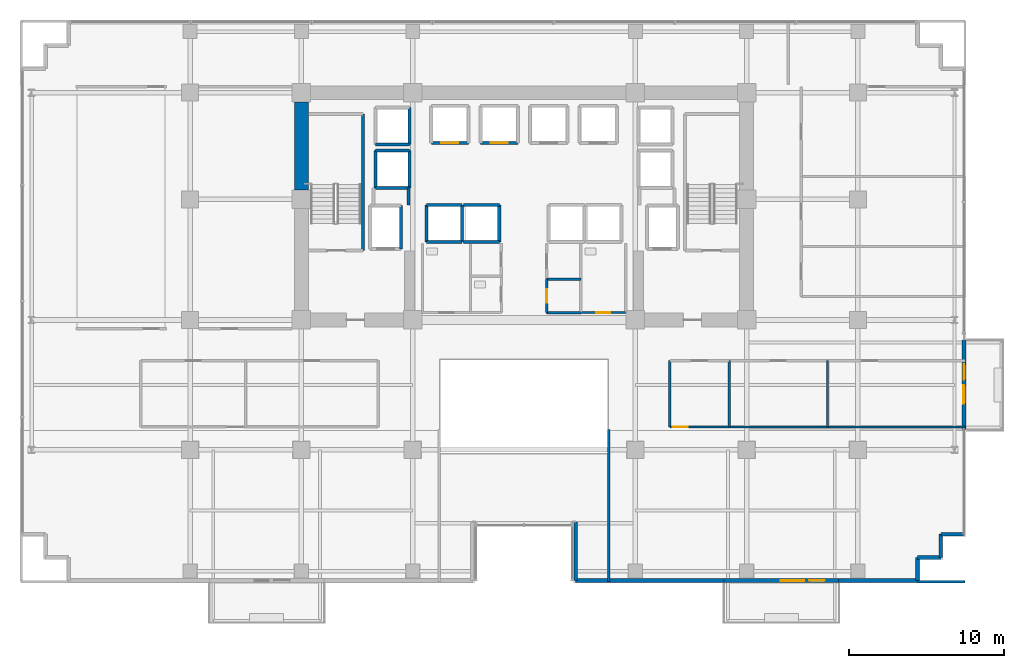
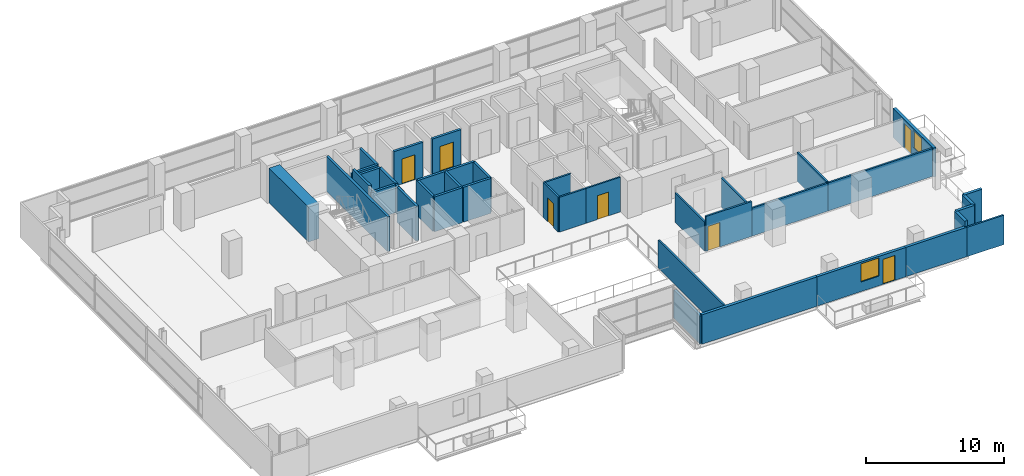
# One storey, part 23 of 30: 40 walls, 7 doors, 2 windows, 9 openings.
"""IFC4 building model written with IfcOpenShell, lengths in metres."""

from ifc_helpers import new_model, si_unit, direction, frame, frame_2d, origin, place, context, subcontext, project, spatial, rectangle, extrude, source, transform, mapped, material, layer, layer_set, type_object, element, fill, save


model = new_model("IFC4")

# Units and contexts
model_context = context("Model", 3, precision=1e-05, world=origin(), true_north=direction((0.0, 1.0)))
body_context = subcontext(model_context, "Body", "Model", "MODEL_VIEW")
ifc_project = project(units=[si_unit("LENGTHUNIT", "METRE"), si_unit("AREAUNIT", "SQUARE_METRE"), si_unit("VOLUMEUNIT", "CUBIC_METRE"), si_unit("PLANEANGLEUNIT", "RADIAN"), si_unit("MASSUNIT", "GRAM", prefix="KILO")], contexts=[model_context])

# Site, building, storey
site_placement = place(None, origin())
site = spatial("IfcSite", under=ifc_project, at=site_placement, CompositionType="ELEMENT")
building_placement = place(site_placement, origin())
building = spatial("IfcBuilding", under=site, at=building_placement, Name="Zarnakvel Exchange Tower", CompositionType="ELEMENT")
storey_placement = place(building_placement, frame((0.0, 0.0, 50.5)))
storey = spatial("IfcBuildingStorey", under=building, at=storey_placement, Name="L13", CompositionType="ELEMENT", Elevation=50.5)

# Wall
ifc_material_1 = material(Name="Concrete C80/95", Category="concrete")
ifc_layer_1 = layer(ifc_material_1, 0.89990234375)
ifc_layer_set_1 = layer_set([ifc_layer_1], Name="Concrete C80/95")
wall_type_1 = type_object("IfcWallType", Name="CW-C1", PredefinedType="SHEAR", material=ifc_layer_set_1)
wall_1_placement = place(storey_placement, frame((-14.39990234375, 7.199951171875, 0.0), z_axis=(0.0, 0.0, 1.0), x_axis=(0.0, 1.0, 0.0)))
element("IfcWall", 1, at=wall_1_placement, inside=storey, type_object=wall_type_1, Name="L13 Rear Core Shear Wall W2 (CW-C1)", PredefinedType="SHEAR", context=body_context, shape_type="SweptSolid", body=[
    extrude(rectangle(XDim=5.699951171875, YDim=0.89990234375, at=frame_2d((2.85009765625, 0.0))), origin(), (0.0, 0.0, 1.0), 3.074951171875),
])

# Wall, openings, door, window
ifc_material_2 = material(Name="Precast concrete C40/50", Category="concrete")
ifc_layer_2 = layer(ifc_material_2, 0.239990234375)
ifc_layer_set_2 = layer_set([ifc_layer_2], Name="Precast concrete C40/50")
wall_type_2 = type_object("IfcWallType", Name="EW-02", PredefinedType="SOLIDWALL", material=ifc_layer_set_2)
wall_2_placement = place(storey_placement, frame((20.35009765625, -18.06005859375, 0.0), z_axis=(0.0, 0.0, 1.0), x_axis=(-1.0, 0.0, 0.0)))
wall_2 = element("IfcWall", 2, at=wall_2_placement, inside=storey, type_object=wall_type_2, Name="L13 Exterior Precast Spandrel Wall EW-BAL-L13-SE (EW-02)", PredefinedType="SOLIDWALL", context=body_context, shape_type="SweptSolid", body=[
    extrude(rectangle(XDim=7.400146484375, YDim=0.239990234375, at=frame_2d((3.7001953125, 0.0))), origin(), (0.0, 0.0, 1.0), 2.590087890625),
])
opening_1_placement = place(wall_2_placement, frame((0.887939453125, 0.0, 0.0)))
opening_1 = element("IfcOpeningElement", 3, at=opening_1_placement, cuts=wall_2, Name="Opening BD-L13-02", PredefinedType="OPENING", context=body_context, shape_type="SweptSolid", body=[
    extrude(rectangle(XDim=1.0, YDim=2.199951171875, at=frame_2d((0.5, 1.10009765625))), frame((0.0, 0.1298828125, 0.0), z_axis=(0.0, -1.0, 0.0), x_axis=(1.0, 0.0, 0.0)), (0.0, 0.0, 1.0), 0.260009765625),
])
opening_2_placement = place(wall_2_placement, frame((2.238037109375, 0.0, 0.85009765625)))
opening_2 = element("IfcOpeningElement", 4, at=opening_2_placement, cuts=wall_2, Name="Opening WN-03", PredefinedType="OPENING", context=body_context, shape_type="SweptSolid", body=[
    extrude(rectangle(XDim=1.5, YDim=1.60009765625, at=frame_2d((0.75, 0.800048828125))), frame((0.0, 0.1298828125, 0.0), z_axis=(0.0, -1.0, 0.0), x_axis=(1.0, 0.0, 0.0)), (0.0, 0.0, 1.0), 0.260009765625),
])
ifc_material_3 = material(Name="Architectural Bronze Anodised Aluminium", Category="aluminium")
door_type_1 = type_object("IfcDoorType", Name="DT-09", OperationType="NOTDEFINED", PredefinedType="DOOR", material=ifc_material_3)
shared_shape_1 = source(origin(), body_context, "Body", "SweptSolid", [
    extrude(rectangle(XDim=1.0, YDim=2.199951171875, at=frame_2d((0.5, 1.10009765625))), frame((0.0, 0.02490234375, 0.0), z_axis=(0.0, -1.0, 0.0), x_axis=(1.0, 0.0, 0.0)), (0.0, 0.0, 1.0), 0.050048828125),
])
door_1_placement = place(opening_1_placement, origin())
door_1 = element("IfcDoor", 5, at=door_1_placement, inside=storey, type_object=door_type_1, Name="L13 Planted Loggia Balcony Door BD-L13-02", OperationType="SINGLE_SWING_RIGHT", OverallHeight=2.199951171875, OverallWidth=1.0, PredefinedType="DOOR", context=body_context, shape_type="MappedRepresentation", body=[
    mapped(shared_shape_1, transform((0.0, 0.0, 0.0), x_axis=(1.0, 0.0, 0.0), y_axis=(0.0, 1.0, 0.0), z_axis=(0.0, 0.0, 1.0), scale=1.0)),
])
fill(opening_1, door_1)
ifc_material_4 = material(Name="Double Low-E Laminated Vision Glass", Category="glass")
window_type_1 = type_object("IfcWindowType", Name="WN-03", PartitioningType="SINGLE_PANEL", PredefinedType="WINDOW", material=ifc_material_4)
shared_shape_2 = source(origin(), body_context, "Body", "SweptSolid", [
    extrude(rectangle(XDim=1.5, YDim=1.60009765625, at=frame_2d((0.75, 0.800048828125))), frame((0.0, 0.030029296875, 0.0), z_axis=(0.0, -1.0, 0.0), x_axis=(1.0, 0.0, 0.0)), (0.0, 0.0, 1.0), 0.06005859375),
])
window_1_placement = place(opening_2_placement, origin())
window_1 = element("IfcWindow", 6, at=window_1_placement, inside=storey, type_object=window_type_1, Name="L13 Loggia Daylight Window (WN-03)", OverallHeight=1.60009765625, OverallWidth=1.5, PartitioningType="SINGLE_PANEL", PredefinedType="WINDOW", context=body_context, shape_type="MappedRepresentation", body=[
    mapped(shared_shape_2, transform((0.0, 0.0, 0.0), x_axis=(1.0, 0.0, 0.0), y_axis=(0.0, 1.0, 0.0), z_axis=(0.0, 0.0, 1.0), scale=1.0)),
])
fill(opening_2, window_1)

wall_3_placement = place(storey_placement, frame((28.4599609375, -2.5, 0.0), z_axis=(0.0, 0.0, 1.0), x_axis=(0.0, -1.0, 0.0)))
wall_3 = element("IfcWall", 7, at=wall_3_placement, inside=storey, type_object=wall_type_2, Name="L13 Exterior Precast Spandrel Wall EW-BAL-L13-E (EW-02)", PredefinedType="SOLIDWALL", context=body_context, shape_type="SweptSolid", body=[
    extrude(rectangle(XDim=5.800048828125, YDim=0.239990234375, at=frame_2d((2.89990234375, 0.0))), origin(), (0.0, 0.0, 1.0), 2.56494140625),
])
opening_3_placement = place(wall_3_placement, frame((1.56591796875, 0.0, 0.0)))
opening_3 = element("IfcOpeningElement", 8, at=opening_3_placement, cuts=wall_3, Name="Opening BD-L13-03", PredefinedType="OPENING", context=body_context, shape_type="SweptSolid", body=[
    extrude(rectangle(XDim=1.0, YDim=2.199951171875, at=frame_2d((0.5, 1.10009765625))), frame((0.0, 0.1298828125, 0.0), z_axis=(0.0, -1.0, 0.0), x_axis=(1.0, 0.0, 0.0)), (0.0, 0.0, 1.0), 0.260009765625),
])
opening_4_placement = place(wall_3_placement, frame((2.916015625, 0.0, 0.85009765625)))
opening_4 = element("IfcOpeningElement", 9, at=opening_4_placement, cuts=wall_3, Name="Opening WN-04", PredefinedType="OPENING", context=body_context, shape_type="SweptSolid", body=[
    extrude(rectangle(XDim=1.199951171875, YDim=1.5, at=frame_2d((0.60009765625, 0.75))), frame((0.0, 0.1298828125, 0.0), z_axis=(0.0, -1.0, 0.0), x_axis=(1.0, 0.0, 0.0)), (0.0, 0.0, 1.0), 0.260009765625),
])
door_2_placement = place(opening_3_placement, origin())
door_2 = element("IfcDoor", 10, at=door_2_placement, inside=storey, type_object=door_type_1, Name="L13 Planted Loggia Balcony Door BD-L13-03", OperationType="SINGLE_SWING_LEFT", OverallHeight=2.199951171875, OverallWidth=1.0, PredefinedType="DOOR", context=body_context, shape_type="MappedRepresentation", body=[
    mapped(shared_shape_1, transform((0.0, 0.0, 0.0), x_axis=(1.0, 0.0, 0.0), y_axis=(0.0, 1.0, 0.0), z_axis=(0.0, 0.0, 1.0), scale=1.0)),
])
fill(opening_3, door_2)
window_type_2 = type_object("IfcWindowType", Name="WN-04", PartitioningType="SINGLE_PANEL", PredefinedType="WINDOW", material=ifc_material_4)
shared_shape_3 = source(origin(), body_context, "Body", "SweptSolid", [
    extrude(rectangle(XDim=1.199951171875, YDim=1.5, at=frame_2d((0.60009765625, 0.75))), frame((0.0, 0.030029296875, 0.0), z_axis=(0.0, -1.0, 0.0), x_axis=(1.0, 0.0, 0.0)), (0.0, 0.0, 1.0), 0.06005859375),
])
window_2_placement = place(opening_4_placement, origin())
window_2 = element("IfcWindow", 11, at=window_2_placement, inside=storey, type_object=window_type_2, Name="L13 Loggia Daylight Window (WN-04)", OverallHeight=1.5, OverallWidth=1.199951171875, PartitioningType="SINGLE_PANEL", PredefinedType="WINDOW", context=body_context, shape_type="MappedRepresentation", body=[
    mapped(shared_shape_3, transform((0.0, 0.0, 0.0), x_axis=(1.0, 0.0, 0.0), y_axis=(0.0, 1.0, 0.0), z_axis=(0.0, 0.0, 1.0), scale=1.0)),
])
fill(opening_4, window_2)

# Walls
for number, where, z_axis, x_axis, name in (
    (12, (26.9599609375, -15.06005859375, 0.0), (0.0, 0.0, 1.0), (1.0, 0.0, 0.0), "L13 Exterior Precast Spandrel Wall EWC-L13-11 (EW-02)"),
    (13, (26.9599609375, -16.56005859375, 0.0), (0.0, 0.0, 1.0), (0.0, 1.0, 0.0), "L13 Exterior Precast Spandrel Wall EWC-L13-12 (EW-02)"),
    (14, (25.4599609375, -16.56005859375, 0.0), (0.0, 0.0, 1.0), (1.0, 0.0, 0.0), "L13 Exterior Precast Spandrel Wall EWC-L13-13 (EW-02)"),
    (15, (25.4599609375, -18.06005859375, 0.0), (0.0, 0.0, 1.0), (0.0, 1.0, 0.0), "L13 Exterior Precast Spandrel Wall EWC-L13-14 (EW-02)"),
):
    element("IfcWall", number, at=place(storey_placement, frame(where, z_axis=z_axis, x_axis=x_axis)), inside=storey, type_object=wall_type_2, Name=name, PredefinedType="SOLIDWALL", context=body_context, shape_type="SweptSolid", body=[
        extrude(rectangle(XDim=1.5, YDim=0.239990234375, at=frame_2d((0.75, 0.0))), origin(), (0.0, 0.0, 1.0), 3.074951171875),
    ])
wall_4_placement = place(storey_placement, frame((20.35009765625, -18.06005859375, 0.0), z_axis=(0.0, 0.0, 1.0), x_axis=(1.0, 0.0, 0.0)))
element("IfcWall", 16, at=wall_4_placement, inside=storey, type_object=wall_type_2, Name="L13 Exterior Precast Spandrel Wall EWC-L13-15 (EW-02)", PredefinedType="SOLIDWALL", context=body_context, shape_type="SweptSolid", body=[
    extrude(rectangle(XDim=5.10986328125, YDim=0.239990234375, at=frame_2d((2.554931640625, 0.0))), origin(), (0.0, 0.0, 1.0), 2.590087890625),
])
wall_5_placement = place(storey_placement, frame((3.340087890625, -18.06005859375, 0.0), z_axis=(0.0, 0.0, 1.0), x_axis=(1.0, 0.0, 0.0)))
element("IfcWall", 17, at=wall_5_placement, inside=storey, type_object=wall_type_2, Name="L13 Exterior Precast Spandrel Wall EWC-L13-16 (EW-02)", PredefinedType="SOLIDWALL", context=body_context, shape_type="SweptSolid", body=[
    extrude(rectangle(XDim=9.60986328125, YDim=0.239990234375, at=frame_2d((4.804931640625, 0.0))), origin(), (0.0, 0.0, 1.0), 2.590087890625),
])
wall_6_placement = place(storey_placement, frame((3.340087890625, -14.260009765625, 0.0), z_axis=(0.0, 0.0, 1.0), x_axis=(0.0, -1.0, 0.0)))
element("IfcWall", 18, at=wall_6_placement, inside=storey, type_object=wall_type_2, Name="L13 Exterior Precast Spandrel Wall EWC-L13-17 (EW-02)", PredefinedType="SOLIDWALL", context=body_context, shape_type="SweptSolid", body=[
    extrude(rectangle(XDim=3.800048828125, YDim=0.239990234375, at=frame_2d((1.89990234375, 0.0))), origin(), (0.0, 0.0, 1.0), 2.465087890625),
])
ifc_material_5 = material(Name="Fire-Rated Gypsum Stud Partition", Category="gypsum")
ifc_layer_3 = layer(ifc_material_5, 0.14990234375)
ifc_layer_set_3 = layer_set([ifc_layer_3], Name="Fire-Rated Gypsum Stud Partition")
wall_type_3 = type_object("IfcWallType", Name="PT-01", PredefinedType="PARTITIONING", material=ifc_layer_set_3)
for number, where, z_axis, x_axis, name in (
    (19, (3.679931640625, -0.72998046875, 0.0), (0.0, 0.0, 1.0), (-1.0, 0.0, 0.0), "L13 Partition Wall PWALL-L13-018 (PT-01)"),
    (20, (1.469970703125, 1.429931640625, 0.0), (0.0, 0.0, 1.0), (1.0, 0.0, 0.0), "L13 Partition Wall PWALL-L13-019 (PT-01)"),
):
    element("IfcWall", number, at=place(storey_placement, frame(where, z_axis=z_axis, x_axis=x_axis)), inside=storey, type_object=wall_type_3, Name=name, PredefinedType="PARTITIONING", context=body_context, shape_type="SweptSolid", body=[
        extrude(rectangle(XDim=2.2099609375, YDim=0.14990234375, at=frame_2d((1.10498046875, 0.0))), origin(), (0.0, 0.0, 1.0), 3.074951171875),
    ])

# Wall, opening, door
wall_7_placement = place(storey_placement, frame((1.469970703125, -0.72998046875, 0.0), z_axis=(0.0, 0.0, 1.0), x_axis=(0.0, 1.0, 0.0)))
wall_7 = element("IfcWall", 21, at=wall_7_placement, inside=storey, type_object=wall_type_3, Name="L13 Partition Wall PWALL-L13-020 (PT-01)", PredefinedType="PARTITIONING", context=body_context, shape_type="SweptSolid", body=[
    extrude(rectangle(XDim=2.159912109375, YDim=0.14990234375, at=frame_2d((1.080078125, 0.0))), origin(), (0.0, 0.0, 1.0), 3.074951171875),
])
opening_5_placement = place(wall_7_placement, frame((0.639892578125, 0.0, 0.0)))
opening_5 = element("IfcOpeningElement", 22, at=opening_5_placement, cuts=wall_7, Name="Opening D-L13-08", PredefinedType="OPENING", context=body_context, shape_type="SweptSolid", body=[
    extrude(rectangle(XDim=0.8798828125, YDim=2.10009765625, at=frame_2d((0.43994140625, 1.050048828125))), frame((0.0, 0.0849609375, 0.0), z_axis=(0.0, -1.0, 0.0), x_axis=(1.0, 0.0, 0.0)), (0.0, 0.0, 1.0), 0.169921875),
])
ifc_material_6 = material(Name="Painted Galvanised Steel S355", Category="steel")
door_type_2 = type_object("IfcDoorType", Name="DT-08", OperationType="NOTDEFINED", PredefinedType="DOOR", material=ifc_material_6)
shared_shape_4 = source(origin(), body_context, "Body", "SweptSolid", [
    extrude(rectangle(XDim=0.8798828125, YDim=2.10009765625, at=frame_2d((0.43994140625, 1.050048828125))), frame((0.0, 0.02490234375, 0.0), z_axis=(0.0, -1.0, 0.0), x_axis=(1.0, 0.0, 0.0)), (0.0, 0.0, 1.0), 0.050048828125),
])
door_3_placement = place(opening_5_placement, origin())
door_3 = element("IfcDoor", 23, at=door_3_placement, inside=storey, type_object=door_type_2, Name="L13 Janitor Store Door D-L13-08", OperationType="SINGLE_SWING_RIGHT", OverallHeight=2.10009765625, OverallWidth=0.8798828125, PredefinedType="DOOR", context=body_context, shape_type="MappedRepresentation", body=[
    mapped(shared_shape_4, transform((0.0, 0.0, 0.0), x_axis=(1.0, 0.0, 0.0), y_axis=(0.0, 1.0, 0.0), z_axis=(0.0, 0.0, 1.0), scale=1.0)),
])
fill(opening_5, door_3)

wall_8_placement = place(storey_placement, frame((13.26806640625, -8.1201171875, 0.0), z_axis=(0.0, 0.0, 1.0), x_axis=(-1.0, 0.0, 0.0)))
wall_8 = element("IfcWall", 24, at=wall_8_placement, inside=storey, type_object=wall_type_3, Name="L13 Partition Wall PWALL-L13-036 (PT-01)", PredefinedType="PARTITIONING", context=body_context, shape_type="SweptSolid", body=[
    extrude(rectangle(XDim=3.838134765625, YDim=0.14990234375, at=frame_2d((1.9189453125, 0.0))), origin(), (0.0, 0.0, 1.0), 3.074951171875),
])
opening_6_placement = place(wall_8_placement, frame((2.677978515625, 0.0, 0.0)))
opening_6 = element("IfcOpeningElement", 25, at=opening_6_placement, cuts=wall_8, Name="Opening D-L13-17", PredefinedType="OPENING", context=body_context, shape_type="SweptSolid", body=[
    extrude(rectangle(XDim=0.97998046875, YDim=2.14990234375, at=frame_2d((0.489990234375, 1.074951171875))), frame((0.0, 0.0849609375, 0.0), z_axis=(0.0, -1.0, 0.0), x_axis=(1.0, 0.0, 0.0)), (0.0, 0.0, 1.0), 0.169921875),
])
ifc_material_7 = material(Name="Timber Acoustic Veneer", Category="wood")
door_type_3 = type_object("IfcDoorType", Name="DT-05", OperationType="NOTDEFINED", PredefinedType="DOOR", material=ifc_material_7)
shared_shape_5 = source(origin(), body_context, "Body", "SweptSolid", [
    extrude(rectangle(XDim=0.97998046875, YDim=2.14990234375, at=frame_2d((0.489990234375, 1.074951171875))), frame((0.0, 0.02490234375, 0.0), z_axis=(0.0, -1.0, 0.0), x_axis=(1.0, 0.0, 0.0)), (0.0, 0.0, 1.0), 0.050048828125),
])
door_4_placement = place(opening_6_placement, origin())
door_4 = element("IfcDoor", 26, at=door_4_placement, inside=storey, type_object=door_type_3, Name="L13 Quant Research Office Door D-L13-17", OperationType="SINGLE_SWING_LEFT", OverallHeight=2.14990234375, OverallWidth=0.97998046875, PredefinedType="DOOR", context=body_context, shape_type="MappedRepresentation", body=[
    mapped(shared_shape_5, transform((0.0, 0.0, 0.0), x_axis=(1.0, 0.0, 0.0), y_axis=(0.0, 1.0, 0.0), z_axis=(0.0, 0.0, 1.0), scale=1.0)),
])
fill(opening_6, door_4)

# Walls
for number, where, z_axis, x_axis, name in (
    (27, (9.429931640625, -8.1201171875, 0.0), (0.0, 0.0, 1.0), (0.0, 1.0, 0.0), "L13 Partition Wall PWALL-L13-038 (PT-01)"),
    (28, (13.26806640625, -3.830078125, 0.0), (0.0, 0.0, 1.0), (0.0, -1.0, 0.0), "L13 Partition Wall PWALL-L13-039 (PT-01)"),
):
    element("IfcWall", number, at=place(storey_placement, frame(where, z_axis=z_axis, x_axis=x_axis)), inside=storey, type_object=wall_type_3, Name=name, PredefinedType="PARTITIONING", context=body_context, shape_type="SweptSolid", body=[
        extrude(rectangle(XDim=4.2900390625, YDim=0.14990234375, at=frame_2d((2.14501953125, 0.0))), origin(), (0.0, 0.0, 1.0), 2.56494140625),
    ])
wall_9_placement = place(storey_placement, frame((19.634765625, -8.1201171875, 0.0), z_axis=(0.0, 0.0, 1.0), x_axis=(-1.0, 0.0, 0.0)))
element("IfcWall", 29, at=wall_9_placement, inside=storey, type_object=wall_type_3, Name="L13 Partition Wall PWALL-L13-040 (PT-01)", PredefinedType="PARTITIONING", context=body_context, shape_type="SweptSolid", body=[
    extrude(rectangle(XDim=6.36669921875, YDim=0.14990234375, at=frame_2d((3.183349609375, 0.0))), origin(), (0.0, 0.0, 1.0), 2.465087890625),
])
wall_10_placement = place(storey_placement, frame((19.634765625, -3.830078125, 0.0), z_axis=(0.0, 0.0, 1.0), x_axis=(0.0, -1.0, 0.0)))
element("IfcWall", 30, at=wall_10_placement, inside=storey, type_object=wall_type_3, Name="L13 Partition Wall PWALL-L13-042 (PT-01)", PredefinedType="PARTITIONING", context=body_context, shape_type="SweptSolid", body=[
    extrude(rectangle(XDim=4.2900390625, YDim=0.14990234375, at=frame_2d((2.14501953125, 0.0))), origin(), (0.0, 0.0, 1.0), 2.56494140625),
])
wall_11_placement = place(storey_placement, frame((28.530029296875, -8.1201171875, 0.0), z_axis=(0.0, 0.0, 1.0), x_axis=(-1.0, 0.0, 0.0)))
element("IfcWall", 31, at=wall_11_placement, inside=storey, type_object=wall_type_3, Name="L13 Partition Wall PWALL-L13-043 (PT-01)", PredefinedType="PARTITIONING", context=body_context, shape_type="SweptSolid", body=[
    extrude(rectangle(XDim=8.895263671875, YDim=0.14990234375, at=frame_2d((4.44775390625, 0.0))), origin(), (0.0, 0.0, 1.0), 2.465087890625),
])
wall_12_placement = place(storey_placement, frame((28.530029296875, -18.1298828125, 0.0), z_axis=(0.0, 0.0, 1.0), x_axis=(-1.0, 0.0, 0.0)))
element("IfcWall", 32, at=wall_12_placement, inside=storey, type_object=wall_type_3, Name="L13 Partition Wall PWALL-L13-046 (PT-01)", PredefinedType="PARTITIONING", context=body_context, shape_type="SweptSolid", body=[
    extrude(rectangle(XDim=3.070068359375, YDim=0.14990234375, at=frame_2d((1.53515625, 0.0))), origin(), (0.0, 0.0, 1.0), 2.590087890625),
])
wall_13_placement = place(storey_placement, frame((5.47998046875, -18.1298828125, 0.0), z_axis=(0.0, 0.0, 1.0), x_axis=(0.0, 1.0, 0.0)))
element("IfcWall", 33, at=wall_13_placement, inside=storey, type_object=wall_type_3, Name="L13 Partition Wall PWALL-L13-047 (PT-01)", PredefinedType="PARTITIONING", context=body_context, shape_type="SweptSolid", body=[
    extrude(rectangle(XDim=9.849853515625, YDim=0.14990234375, at=frame_2d((4.9248046875, 0.0))), origin(), (0.0, 0.0, 1.0), 2.465087890625),
])
ifc_layer_4 = layer(ifc_material_5, 0.179931640625)
ifc_layer_set_4 = layer_set([ifc_layer_4], Name="Fire-Rated Gypsum Stud Partition")
wall_type_4 = type_object("IfcWallType", Name="PT-02", PredefinedType="PARTITIONING", material=ifc_layer_set_4)
wall_14_placement = place(storey_placement, frame((-7.469970703125, 7.330078125, 0.0), z_axis=(0.0, 0.0, 1.0), x_axis=(0.0, -1.0, 0.0)))
element("IfcWall", 34, at=wall_14_placement, inside=storey, type_object=wall_type_4, Name="L13 Partition Wall PWALL-L13-008 (PT-02)", PredefinedType="PARTITIONING", context=body_context, shape_type="SweptSolid", body=[
    extrude(rectangle(XDim=1.090087890625, YDim=0.179931640625, at=frame_2d((0.544921875, 0.0))), origin(), (0.0, 0.0, 1.0), 2.465087890625),
])

# Wall, opening, door
ifc_material_8 = material(Name="Moisture-Resistant Tile-Faced Partition", Category="gypsum")
ifc_layer_5 = layer(ifc_material_8, 0.135009765625)
ifc_layer_set_5 = layer_set([ifc_layer_5], Name="Moisture-Resistant Tile-Faced Partition")
wall_type_5 = type_object("IfcWallType", Name="PT-03", PredefinedType="PARTITIONING", material=ifc_layer_set_5)
wall_15_placement = place(storey_placement, frame((6.580078125, -0.72998046875, 0.0), z_axis=(0.0, 0.0, 1.0), x_axis=(-1.0, 0.0, 0.0)))
wall_15 = element("IfcWall", 35, at=wall_15_placement, inside=storey, type_object=wall_type_5, Name="L13 Partition Wall PWALL-L13-024 (PT-03)", PredefinedType="PARTITIONING", context=body_context, shape_type="SweptSolid", body=[
    extrude(rectangle(XDim=2.900146484375, YDim=0.135009765625, at=frame_2d((1.4501953125, 0.0))), origin(), (0.0, 0.0, 1.0), 3.074951171875),
])
opening_7_placement = place(wall_15_placement, frame((0.989990234375, 0.0, 0.0)))
opening_7 = element("IfcOpeningElement", 36, at=opening_7_placement, cuts=wall_15, Name="Opening D-L13-10", PredefinedType="OPENING", context=body_context, shape_type="SweptSolid", body=[
    extrude(rectangle(XDim=0.919921875, YDim=2.10009765625, at=frame_2d((0.4599609375, 1.050048828125))), frame((0.0, 0.077392578125, 0.0), z_axis=(0.0, -1.0, 0.0), x_axis=(1.0, 0.0, 0.0)), (0.0, 0.0, 1.0), 0.155029296875),
])
ifc_material_9 = material(Name="Moisture-Resistant Laminate Timber", Category="wood")
door_type_4 = type_object("IfcDoorType", Name="DT-07", OperationType="NOTDEFINED", PredefinedType="DOOR", material=ifc_material_9)
shared_shape_6 = source(origin(), body_context, "Body", "SweptSolid", [
    extrude(rectangle(XDim=0.919921875, YDim=2.10009765625, at=frame_2d((0.4599609375, 1.050048828125))), frame((0.0, 0.02490234375, 0.0), z_axis=(0.0, -1.0, 0.0), x_axis=(1.0, 0.0, 0.0)), (0.0, 0.0, 1.0), 0.050048828125),
])
door_5_placement = place(opening_7_placement, origin())
door_5 = element("IfcDoor", 37, at=door_5_placement, inside=storey, type_object=door_type_4, Name="L13 Female Toilet Door D-L13-10", OperationType="SINGLE_SWING_RIGHT", OverallHeight=2.10009765625, OverallWidth=0.919921875, PredefinedType="DOOR", context=body_context, shape_type="MappedRepresentation", body=[
    mapped(shared_shape_6, transform((0.0, 0.0, 0.0), x_axis=(1.0, 0.0, 0.0), y_axis=(0.0, 1.0, 0.0), z_axis=(0.0, 0.0, 1.0), scale=1.0)),
])
fill(opening_7, door_5)

# Wall
ifc_material_10 = material(Name="Concrete C40/50", Category="concrete")
ifc_layer_6 = layer(ifc_material_10, 0.199951171875)
ifc_layer_set_6 = layer_set([ifc_layer_6], Name="Concrete C40/50")
wall_type_6 = type_object("IfcWallType", Name="SW-01", PredefinedType="SOLIDWALL", material=ifc_layer_set_6)
wall_16_placement = place(storey_placement, frame((-7.949951171875, 6.199951171875, 0.0), z_axis=(0.0, 0.0, 1.0), x_axis=(0.0, -1.0, 0.0)))
element("IfcWall", 38, at=wall_16_placement, inside=storey, type_object=wall_type_6, Name="L13 FL-01 Hoistway Wall East", PredefinedType="SOLIDWALL", context=body_context, shape_type="SweptSolid", body=[
    extrude(rectangle(XDim=2.800048828125, YDim=0.199951171875, at=frame_2d((1.39990234375, 0.0))), origin(), (0.0, 0.0, 1.0), 3.074951171875),
])

# Wall, opening, door
wall_17_placement = place(storey_placement, frame((-3.60009765625, 10.25, 0.0), z_axis=(0.0, 0.0, 1.0), x_axis=(-1.0, 0.0, 0.0)))
wall_17 = element("IfcWall", 39, at=wall_17_placement, inside=storey, type_object=wall_type_6, Name="L13 PL-01 Hoistway Wall South", PredefinedType="SOLIDWALL", context=body_context, shape_type="SweptSolid", body=[
    extrude(rectangle(XDim=2.39990234375, YDim=0.199951171875, at=frame_2d((1.199951171875, 0.0))), origin(), (0.0, 0.0, 1.0), 3.074951171875),
])
opening_8_placement = place(wall_17_placement, frame((0.64990234375, 0.0, 0.0)))
opening_8 = element("IfcOpeningElement", 40, at=opening_8_placement, cuts=wall_17, Name="Opening LD-PL-01-L13", PredefinedType="OPENING", context=body_context, shape_type="SweptSolid", body=[
    extrude(rectangle(XDim=1.10009765625, YDim=2.199951171875, at=frame_2d((0.550048828125, 1.10009765625))), frame((0.0, 0.10986328125, 0.0), z_axis=(0.0, -1.0, 0.0), x_axis=(1.0, 0.0, 0.0)), (0.0, 0.0, 1.0), 0.219970703125),
])
door_type_5 = type_object("IfcDoorType", Name="LDT-02", OperationType="NOTDEFINED", PredefinedType="DOOR", material=ifc_material_3)
shared_shape_7 = source(origin(), body_context, "Body", "SweptSolid", [
    extrude(rectangle(XDim=1.10009765625, YDim=2.199951171875, at=frame_2d((0.550048828125, 1.10009765625))), frame((0.0, 0.02490234375, 0.0), z_axis=(0.0, -1.0, 0.0), x_axis=(1.0, 0.0, 0.0)), (0.0, 0.0, 1.0), 0.050048828125),
])
door_6_placement = place(opening_8_placement, origin())
door_6 = element("IfcDoor", 41, at=door_6_placement, inside=storey, type_object=door_type_5, Name="L13 PL-01 Lift Landing Door LD-PL-01-L13", OperationType="DOUBLE_DOOR_SLIDING", OverallHeight=2.199951171875, OverallWidth=1.10009765625, PredefinedType="DOOR", context=body_context, shape_type="MappedRepresentation", body=[
    mapped(shared_shape_7, transform((0.0, 0.0, 0.0), x_axis=(1.0, 0.0, 0.0), y_axis=(0.0, 1.0, 0.0), z_axis=(0.0, 0.0, 1.0), scale=1.0)),
])
fill(opening_8, door_6)

wall_18_placement = place(storey_placement, frame((-0.39990234375, 10.25, 0.0), z_axis=(0.0, 0.0, 1.0), x_axis=(-1.0, 0.0, 0.0)))
wall_18 = element("IfcWall", 42, at=wall_18_placement, inside=storey, type_object=wall_type_6, Name="L13 PL-02 Hoistway Wall South", PredefinedType="SOLIDWALL", context=body_context, shape_type="SweptSolid", body=[
    extrude(rectangle(XDim=2.400146484375, YDim=0.199951171875, at=frame_2d((1.2001953125, 0.0))), origin(), (0.0, 0.0, 1.0), 3.074951171875),
])
opening_9_placement = place(wall_18_placement, frame((0.64990234375, 0.0, 0.0)))
opening_9 = element("IfcOpeningElement", 43, at=opening_9_placement, cuts=wall_18, Name="Opening LD-PL-02-L13", PredefinedType="OPENING", context=body_context, shape_type="SweptSolid", body=[
    extrude(rectangle(XDim=1.10009765625, YDim=2.199951171875, at=frame_2d((0.550048828125, 1.10009765625))), frame((0.0, 0.10986328125, 0.0), z_axis=(0.0, -1.0, 0.0), x_axis=(1.0, 0.0, 0.0)), (0.0, 0.0, 1.0), 0.219970703125),
])
door_7_placement = place(opening_9_placement, origin())
door_7 = element("IfcDoor", 44, at=door_7_placement, inside=storey, type_object=door_type_5, Name="L13 PL-02 Lift Landing Door LD-PL-02-L13", OperationType="DOUBLE_DOOR_SLIDING", OverallHeight=2.199951171875, OverallWidth=1.10009765625, PredefinedType="DOOR", context=body_context, shape_type="MappedRepresentation", body=[
    mapped(shared_shape_7, transform((0.0, 0.0, 0.0), x_axis=(1.0, 0.0, 0.0), y_axis=(0.0, 1.0, 0.0), z_axis=(0.0, 0.0, 1.0), scale=1.0)),
])
fill(opening_9, door_7)

# Walls
for number, where, z_axis, x_axis, name in (
    (45, (-4.0, 3.85009765625, 0.0), (0.0, 0.0, 1.0), (-1.0, 0.0, 0.0), "L13 PL-05 Hoistway Wall South"),
    (46, (-6.300048828125, 6.25, 0.0), (0.0, 0.0, 1.0), (1.0, 0.0, 0.0), "L13 PL-05 Hoistway Wall North"),
):
    element("IfcWall", number, at=place(storey_placement, frame(where, z_axis=z_axis, x_axis=x_axis)), inside=storey, type_object=wall_type_6, Name=name, PredefinedType="SOLIDWALL", context=body_context, shape_type="SweptSolid", body=[
        extrude(rectangle(XDim=2.300048828125, YDim=0.199951171875, at=frame_2d((1.14990234375, 0.0))), origin(), (0.0, 0.0, 1.0), 3.074951171875),
    ])
for number, where, z_axis, x_axis, name in (
    (47, (-6.300048828125, 3.85009765625, 0.0), (0.0, 0.0, 1.0), (0.0, 1.0, 0.0), "L13 PL-05 Hoistway Wall West"),
    (48, (-4.0, 6.25, 0.0), (0.0, 0.0, 1.0), (0.0, -1.0, 0.0), "L13 PL-05 Hoistway Wall East"),
):
    element("IfcWall", number, at=place(storey_placement, frame(where, z_axis=z_axis, x_axis=x_axis)), inside=storey, type_object=wall_type_6, Name=name, PredefinedType="SOLIDWALL", context=body_context, shape_type="SweptSolid", body=[
        extrude(rectangle(XDim=2.39990234375, YDim=0.199951171875, at=frame_2d((1.199951171875, 0.0))), origin(), (0.0, 0.0, 1.0), 3.074951171875),
    ])
for number, where, z_axis, x_axis, name in (
    (49, (-1.60009765625, 3.85009765625, 0.0), (0.0, 0.0, 1.0), (-1.0, 0.0, 0.0), "L13 PL-06 Hoistway Wall South"),
    (50, (-3.89990234375, 6.25, 0.0), (0.0, 0.0, 1.0), (1.0, 0.0, 0.0), "L13 PL-06 Hoistway Wall North"),
):
    element("IfcWall", number, at=place(storey_placement, frame(where, z_axis=z_axis, x_axis=x_axis)), inside=storey, type_object=wall_type_6, Name=name, PredefinedType="SOLIDWALL", context=body_context, shape_type="SweptSolid", body=[
        extrude(rectangle(XDim=2.2998046875, YDim=0.199951171875, at=frame_2d((1.14990234375, 0.0))), origin(), (0.0, 0.0, 1.0), 3.074951171875),
    ])
wall_19_placement = place(storey_placement, frame((-1.60009765625, 6.25, 0.0), z_axis=(0.0, 0.0, 1.0), x_axis=(0.0, -1.0, 0.0)))
element("IfcWall", 51, at=wall_19_placement, inside=storey, type_object=wall_type_6, Name="L13 PL-06 Hoistway Wall East", PredefinedType="SOLIDWALL", context=body_context, shape_type="SweptSolid", body=[
    extrude(rectangle(XDim=2.39990234375, YDim=0.199951171875, at=frame_2d((1.199951171875, 0.0))), origin(), (0.0, 0.0, 1.0), 3.074951171875),
])
for number, where, z_axis, x_axis, name in (
    (52, (-7.39990234375, 7.35009765625, 0.0), (0.0, 0.0, 1.0), (-1.0, 0.0, 0.0), "L13 PL-09 Hoistway Wall South"),
    (53, (-9.60009765625, 9.75, 0.0), (0.0, 0.0, 1.0), (1.0, 0.0, 0.0), "L13 PL-09 Hoistway Wall North"),
):
    element("IfcWall", number, at=place(storey_placement, frame(where, z_axis=z_axis, x_axis=x_axis)), inside=storey, type_object=wall_type_6, Name=name, PredefinedType="SOLIDWALL", context=body_context, shape_type="SweptSolid", body=[
        extrude(rectangle(XDim=2.2001953125, YDim=0.199951171875, at=frame_2d((1.10009765625, 0.0))), origin(), (0.0, 0.0, 1.0), 2.465087890625),
    ])
wall_20_placement = place(storey_placement, frame((-9.60009765625, 7.35009765625, 0.0), z_axis=(0.0, 0.0, 1.0), x_axis=(0.0, 1.0, 0.0)))
element("IfcWall", 54, at=wall_20_placement, inside=storey, type_object=wall_type_6, Name="L13 PL-09 Hoistway Wall West", PredefinedType="SOLIDWALL", context=body_context, shape_type="SweptSolid", body=[
    extrude(rectangle(XDim=2.39990234375, YDim=0.199951171875, at=frame_2d((1.199951171875, 0.0))), origin(), (0.0, 0.0, 1.0), 3.074951171875),
])
wall_21_placement = place(storey_placement, frame((-7.39990234375, 9.75, 0.0), z_axis=(0.0, 0.0, 1.0), x_axis=(0.0, -1.0, 0.0)))
element("IfcWall", 55, at=wall_21_placement, inside=storey, type_object=wall_type_6, Name="L13 PL-09 Hoistway Wall East", PredefinedType="SOLIDWALL", context=body_context, shape_type="SweptSolid", body=[
    extrude(rectangle(XDim=2.39990234375, YDim=0.199951171875, at=frame_2d((1.199951171875, 0.0))), origin(), (0.0, 0.0, 1.0), 2.465087890625),
])
wall_22_placement = place(storey_placement, frame((-7.39990234375, 10.14990234375, 0.0), z_axis=(0.0, 0.0, 1.0), x_axis=(-1.0, 0.0, 0.0)))
element("IfcWall", 56, at=wall_22_placement, inside=storey, type_object=wall_type_6, Name="L13 PL-10 Hoistway Wall South", PredefinedType="SOLIDWALL", context=body_context, shape_type="SweptSolid", body=[
    extrude(rectangle(XDim=2.2001953125, YDim=0.199951171875, at=frame_2d((1.10009765625, 0.0))), origin(), (0.0, 0.0, 1.0), 2.465087890625),
])
wall_23_placement = place(storey_placement, frame((-7.39990234375, 12.550048828125, 0.0), z_axis=(0.0, 0.0, 1.0), x_axis=(0.0, -1.0, 0.0)))
element("IfcWall", 57, at=wall_23_placement, inside=storey, type_object=wall_type_6, Name="L13 PL-10 Hoistway Wall East", PredefinedType="SOLIDWALL", context=body_context, shape_type="SweptSolid", body=[
    extrude(rectangle(XDim=2.400146484375, YDim=0.199951171875, at=frame_2d((1.2001953125, 0.0))), origin(), (0.0, 0.0, 1.0), 2.465087890625),
])
ifc_layer_7 = layer(ifc_material_10, 0.199951171875)
ifc_layer_set_7 = layer_set([ifc_layer_7], Name="Concrete C40/50")
wall_type_7 = type_object("IfcWallType", Name="SW-02", PredefinedType="SOLIDWALL", material=ifc_layer_set_7)
wall_24_placement = place(storey_placement, frame((-10.409912109375, 12.1298828125, 0.0), z_axis=(0.0, 0.0, 1.0), x_axis=(0.0, -1.0, 0.0)))
element("IfcWall", 58, at=wall_24_placement, inside=storey, type_object=wall_type_7, Name="L13 Stairwell Core Wall PWALL-L13-003 (SW-02)", PredefinedType="SOLIDWALL", context=body_context, shape_type="SweptSolid", body=[
    extrude(rectangle(XDim=8.83984375, YDim=0.199951171875, at=frame_2d((4.419921875, 0.0))), origin(), (0.0, 0.0, 1.0), 3.074951171875),
])

save(model, "model.ifc")
